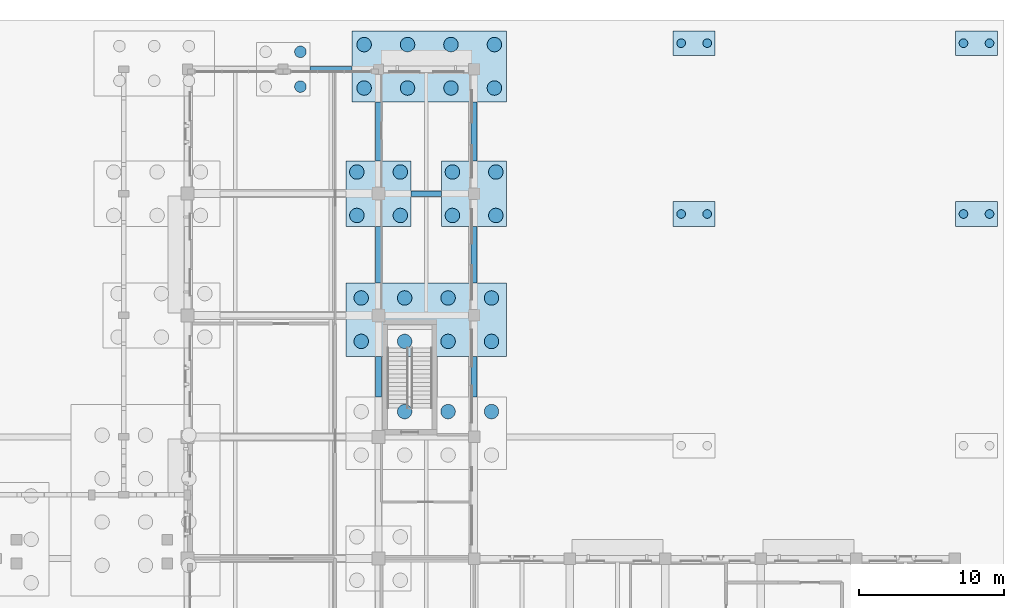
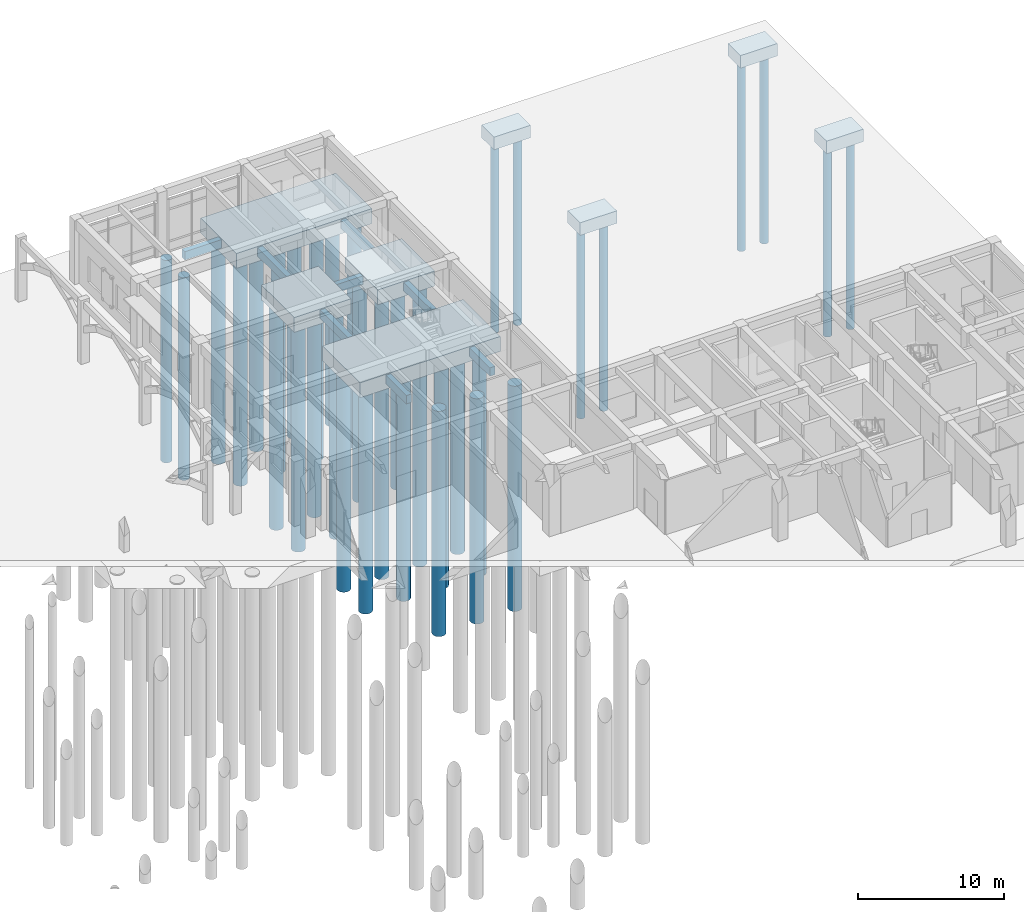
# One storey, part 9 of 82: 37 piles, 16 footings.
"""IFC4 building model written with IfcOpenShell, lengths in metres."""

from ifc_helpers import new_model, si_unit, direction, frame, origin, origin_2d, place, context, subcontext, project, spatial, rectangle, circle, extrude, material, material_profile, profile_set, type_object, element, save


model = new_model("IFC4")

# Units and contexts
model_context = context("Model", 3, precision=1e-05, world=origin(), true_north=direction((0.0, 1.0)))
body_context = subcontext(model_context, "Body", "Model", "MODEL_VIEW")
ifc_project = project(units=[si_unit("LENGTHUNIT", "METRE"), si_unit("AREAUNIT", "SQUARE_METRE"), si_unit("VOLUMEUNIT", "CUBIC_METRE"), si_unit("PLANEANGLEUNIT", "RADIAN"), si_unit("MASSUNIT", "GRAM", prefix="KILO")], contexts=[model_context])

# Site, building, storey
site_placement = place(None, origin())
site = spatial("IfcSite", under=ifc_project, at=site_placement, CompositionType="ELEMENT")
building_placement = place(site_placement, origin())
building = spatial("IfcBuilding", under=site, at=building_placement, Name="Kolvaren Faculty of Natural Sciences", CompositionType="ELEMENT")
storey_placement = place(building_placement, origin())
storey = spatial("IfcBuildingStorey", under=building, at=storey_placement, Name="L00", CompositionType="ELEMENT", Elevation=0.0)

# Piles
ifc_material = material(Name="Concrete C35/45", Category="concrete")
ifc_material_profile_1 = material_profile(ifc_material, circle(Radius=0.5, at=origin_2d()), Name="PILE D1000")
ifc_profile_set_1 = profile_set([ifc_material_profile_1], Name="Concrete C35/45")
pile_type_1 = type_object("IfcPileType", Name="BoredPile_1000", PredefinedType="BORED", material=ifc_profile_set_1)
for number, where, z_axis, x_axis, name in (
    (1, (134.0, 94.35009765625, -1.469970703125), (0.0, 0.0, -1.0), (1.0, 0.0, 0.0), "Rock-socketed bored pile BP-1000 under CAP-220"),
    (2, (137.0, 94.35009765625, -1.469970703125), (0.0, 0.0, -1.0), (1.0, 0.0, 0.0), "Rock-socketed bored pile BP-1000 under CAP-220"),
    (3, (140.0, 94.35009765625, -1.469970703125), (0.0, 0.0, -1.0), (1.0, 0.0, 0.0), "Rock-socketed bored pile BP-1000 under CAP-220"),
    (4, (131.0, 99.199951171875, -1.469970703125), (0.0, 0.0, -1.0), (1.0, 0.0, 0.0), "Rock-socketed bored pile BP-1000 under CAP-221"),
    (5, (131.0, 102.199951171875, -1.469970703125), (0.0, 0.0, -1.0), (1.0, 0.0, 0.0), "Rock-socketed bored pile BP-1000 under CAP-221"),
    (6, (134.0, 99.199951171875, -1.469970703125), (0.0, 0.0, -1.0), (1.0, 0.0, 0.0), "Rock-socketed bored pile BP-1000 under CAP-221"),
    (7, (134.0, 102.199951171875, -1.469970703125), (0.0, 0.0, -1.0), (1.0, 0.0, 0.0), "Rock-socketed bored pile BP-1000 under CAP-221"),
    (8, (137.0, 99.199951171875, -1.469970703125), (0.0, 0.0, -1.0), (1.0, 0.0, 0.0), "Rock-socketed bored pile BP-1000 under CAP-221"),
    (9, (137.0, 102.199951171875, -1.469970703125), (0.0, 0.0, -1.0), (1.0, 0.0, 0.0), "Rock-socketed bored pile BP-1000 under CAP-221"),
    (10, (140.0, 99.199951171875, -1.469970703125), (0.0, 0.0, -1.0), (1.0, 0.0, 0.0), "Rock-socketed bored pile BP-1000 under CAP-221"),
    (11, (140.0, 102.199951171875, -1.469970703125), (0.0, 0.0, -1.0), (1.0, 0.0, 0.0), "Rock-socketed bored pile BP-1000 under CAP-221"),
    (12, (130.699951171875, 107.89990234375, -1.469970703125), (0.0, 0.0, -1.0), (1.0, 0.0, 0.0), "Rock-socketed bored pile BP-1000 under CAP-222"),
    (13, (130.699951171875, 110.89990234375, -1.469970703125), (0.0, 0.0, -1.0), (1.0, 0.0, 0.0), "Rock-socketed bored pile BP-1000 under CAP-222"),
    (14, (133.699951171875, 107.89990234375, -1.469970703125), (0.0, 0.0, -1.0), (1.0, 0.0, 0.0), "Rock-socketed bored pile BP-1000 under CAP-222"),
    (15, (133.699951171875, 110.89990234375, -1.469970703125), (0.0, 0.0, -1.0), (1.0, 0.0, 0.0), "Rock-socketed bored pile BP-1000 under CAP-222"),
    (16, (131.199951171875, 116.699951171875, -1.469970703125), (0.0, 0.0, -1.0), (1.0, 0.0, 0.0), "Rock-socketed bored pile BP-1000 under CAP-226"),
    (17, (131.199951171875, 119.699951171875, -1.469970703125), (0.0, 0.0, -1.0), (1.0, 0.0, 0.0), "Rock-socketed bored pile BP-1000 under CAP-226"),
    (18, (134.199951171875, 116.699951171875, -1.469970703125), (0.0, 0.0, -1.0), (1.0, 0.0, 0.0), "Rock-socketed bored pile BP-1000 under CAP-226"),
    (19, (134.199951171875, 119.699951171875, -1.469970703125), (0.0, 0.0, -1.0), (1.0, 0.0, 0.0), "Rock-socketed bored pile BP-1000 under CAP-226"),
    (20, (137.199951171875, 116.699951171875, -1.469970703125), (0.0, 0.0, -1.0), (1.0, 0.0, 0.0), "Rock-socketed bored pile BP-1000 under CAP-226"),
    (21, (137.199951171875, 119.699951171875, -1.469970703125), (0.0, 0.0, -1.0), (1.0, 0.0, 0.0), "Rock-socketed bored pile BP-1000 under CAP-226"),
    (22, (140.199951171875, 116.699951171875, -1.469970703125), (0.0, 0.0, -1.0), (1.0, 0.0, 0.0), "Rock-socketed bored pile BP-1000 under CAP-226"),
    (23, (140.199951171875, 119.699951171875, -1.469970703125), (0.0, 0.0, -1.0), (1.0, 0.0, 0.0), "Rock-socketed bored pile BP-1000 under CAP-226"),
    (24, (137.300048828125, 107.89990234375, -1.469970703125), (0.0, 0.0, -1.0), (1.0, 0.0, 0.0), "Rock-socketed bored pile BP-1000 under CAP-227"),
    (25, (137.300048828125, 110.89990234375, -1.469970703125), (0.0, 0.0, -1.0), (1.0, 0.0, 0.0), "Rock-socketed bored pile BP-1000 under CAP-227"),
    (26, (140.300048828125, 107.89990234375, -1.469970703125), (0.0, 0.0, -1.0), (1.0, 0.0, 0.0), "Rock-socketed bored pile BP-1000 under CAP-227"),
    (27, (140.300048828125, 110.89990234375, -1.469970703125), (0.0, 0.0, -1.0), (1.0, 0.0, 0.0), "Rock-socketed bored pile BP-1000 under CAP-227"),
):
    element("IfcPile", number, at=place(storey_placement, frame(where, z_axis=z_axis, x_axis=x_axis)), inside=storey, type_object=pile_type_1, Name=name, PredefinedType="BORED", context=body_context, shape_type="SweptSolid", body=[
        extrude(circle(Radius=0.5, at=origin_2d()), origin(), (0.0, 0.0, 1.0), 18.830078125),
    ])
ifc_material_profile_2 = material_profile(ifc_material, circle(Radius=0.300048828125, at=origin_2d()), Name="PILE D600")
ifc_profile_set_2 = profile_set([ifc_material_profile_2], Name="Concrete C35/45")
pile_type_2 = type_object("IfcPileType", Name="BoredPile_600", PredefinedType="BORED", material=ifc_profile_set_2)
for number, where, z_axis, x_axis, name in (
    (28, (153.10009765625, 108.0, -1.27001953125), (0.0, 0.0, -1.0), (1.0, 0.0, 0.0), "Rock-socketed bored pile BP-600 under CAP-236"),
    (29, (154.89990234375, 108.0, -1.27001953125), (0.0, 0.0, -1.0), (1.0, 0.0, 0.0), "Rock-socketed bored pile BP-600 under CAP-236"),
    (30, (153.10009765625, 119.800048828125, -1.27001953125), (0.0, 0.0, -1.0), (1.0, 0.0, 0.0), "Rock-socketed bored pile BP-600 under CAP-237"),
    (31, (154.89990234375, 119.800048828125, -1.27001953125), (0.0, 0.0, -1.0), (1.0, 0.0, 0.0), "Rock-socketed bored pile BP-600 under CAP-237"),
    (32, (172.60009765625, 108.0, -1.27001953125), (0.0, 0.0, -1.0), (1.0, 0.0, 0.0), "Rock-socketed bored pile BP-600 under CAP-250"),
    (33, (174.39990234375, 108.0, -1.27001953125), (0.0, 0.0, -1.0), (1.0, 0.0, 0.0), "Rock-socketed bored pile BP-600 under CAP-250"),
    (34, (172.60009765625, 119.800048828125, -1.27001953125), (0.0, 0.0, -1.0), (1.0, 0.0, 0.0), "Rock-socketed bored pile BP-600 under CAP-251"),
    (35, (174.39990234375, 119.800048828125, -1.27001953125), (0.0, 0.0, -1.0), (1.0, 0.0, 0.0), "Rock-socketed bored pile BP-600 under CAP-251"),
):
    element("IfcPile", number, at=place(storey_placement, frame(where, z_axis=z_axis, x_axis=x_axis)), inside=storey, type_object=pile_type_2, Name=name, PredefinedType="BORED", context=body_context, shape_type="SweptSolid", body=[
        extrude(circle(Radius=0.300048828125, at=origin_2d()), origin(), (0.0, 0.0, 1.0), 15.929931640625),
    ])
ifc_material_profile_3 = material_profile(ifc_material, circle(Radius=0.39990234375, at=origin_2d()), Name="PILE D800")
ifc_profile_set_3 = profile_set([ifc_material_profile_3], Name="Concrete C35/45")
pile_type_3 = type_object("IfcPileType", Name="BoredPile_800", PredefinedType="BORED", material=ifc_profile_set_3)
for number, where, z_axis, x_axis, name in (
    (36, (126.800048828125, 116.800048828125, -1.469970703125), (0.0, 0.0, -1.0), (1.0, 0.0, 0.0), "Rock-socketed bored pile BP-800 under CAP-216"),
    (37, (126.800048828125, 119.199951171875, -1.469970703125), (0.0, 0.0, -1.0), (1.0, 0.0, 0.0), "Rock-socketed bored pile BP-800 under CAP-216"),
):
    element("IfcPile", number, at=place(storey_placement, frame(where, z_axis=z_axis, x_axis=x_axis)), inside=storey, type_object=pile_type_3, Name=name, PredefinedType="BORED", context=body_context, shape_type="SweptSolid", body=[
        extrude(circle(Radius=0.39990234375, at=origin_2d()), origin(), (0.0, 0.0, 1.0), 16.929931640625),
    ])

# Footings
ifc_material_profile_4 = material_profile(ifc_material, rectangle(XDim=0.39990234375, YDim=0.699951171875, at=origin_2d()), Name="RC FB 400x700")
ifc_profile_set_4 = profile_set([ifc_material_profile_4], Name="Concrete C35/45")
footing_type_1 = type_object("IfcFootingType", Name="FootingTieBeam_400x700", PredefinedType="FOOTING_BEAM", material=ifc_profile_set_4)
footing_1_placement = place(storey_placement, frame((134.449951171875, 109.39990234375, -0.75), z_axis=(1.0, 0.0, 0.0), x_axis=(0.0, 1.0, 0.0)))
element("IfcFooting", 38, at=footing_1_placement, inside=storey, type_object=footing_type_1, Name="L00 orthogonal foundation tie beam FB-01", PredefinedType="FOOTING_BEAM", context=body_context, shape_type="SweptSolid", body=[
    extrude(rectangle(XDim=0.39990234375, YDim=0.699951171875, at=origin_2d()), origin(), (0.0, 0.0, 1.0), 2.10009765625),
])
footing_2_placement = place(storey_placement, frame((127.449951171875, 118.0, -0.75), z_axis=(1.0, 0.0, 0.0), x_axis=(0.0, 1.0, 0.0)))
element("IfcFooting", 39, at=footing_2_placement, inside=storey, type_object=footing_type_1, Name="L00 orthogonal foundation tie beam FB-01", PredefinedType="FOOTING_BEAM", context=body_context, shape_type="SweptSolid", body=[
    extrude(rectangle(XDim=0.39990234375, YDim=0.699951171875, at=origin_2d()), origin(), (0.0, 0.0, 1.0), 2.900146484375),
])
footing_3_placement = place(storey_placement, frame((132.199951171875, 95.35009765625, -0.75), z_axis=(0.0, 1.0, 0.0), x_axis=(-1.0, 0.0, 0.0)))
element("IfcFooting", 40, at=footing_3_placement, inside=storey, type_object=footing_type_1, Name="L00 orthogonal foundation tie beam FB-01", PredefinedType="FOOTING_BEAM", context=body_context, shape_type="SweptSolid", body=[
    extrude(rectangle(XDim=0.39990234375, YDim=0.699951171875, at=origin_2d()), origin(), (0.0, 0.0, 1.0), 2.7998046875),
])
footing_4_placement = place(storey_placement, frame((132.199951171875, 103.25, -0.75), z_axis=(0.0, 1.0, 0.0), x_axis=(-1.0, 0.0, 0.0)))
element("IfcFooting", 41, at=footing_4_placement, inside=storey, type_object=footing_type_1, Name="L00 orthogonal foundation tie beam FB-01", PredefinedType="FOOTING_BEAM", context=body_context, shape_type="SweptSolid", body=[
    extrude(rectangle(XDim=0.39990234375, YDim=0.699951171875, at=origin_2d()), origin(), (0.0, 0.0, 1.0), 3.89990234375),
])
footing_5_placement = place(storey_placement, frame((132.199951171875, 111.64990234375, -0.75), z_axis=(0.0, 1.0, 0.0), x_axis=(-1.0, 0.0, 0.0)))
element("IfcFooting", 42, at=footing_5_placement, inside=storey, type_object=footing_type_1, Name="L00 orthogonal foundation tie beam FB-01", PredefinedType="FOOTING_BEAM", context=body_context, shape_type="SweptSolid", body=[
    extrude(rectangle(XDim=0.39990234375, YDim=0.699951171875, at=origin_2d()), origin(), (0.0, 0.0, 1.0), 4.10009765625),
])
footing_6_placement = place(storey_placement, frame((138.800048828125, 95.35009765625, -0.75), z_axis=(0.0, 1.0, 0.0), x_axis=(-1.0, 0.0, 0.0)))
element("IfcFooting", 43, at=footing_6_placement, inside=storey, type_object=footing_type_1, Name="L00 orthogonal foundation tie beam FB-01", PredefinedType="FOOTING_BEAM", context=body_context, shape_type="SweptSolid", body=[
    extrude(rectangle(XDim=0.39990234375, YDim=0.699951171875, at=origin_2d()), origin(), (0.0, 0.0, 1.0), 2.7998046875),
])
footing_7_placement = place(storey_placement, frame((138.800048828125, 103.25, -0.75), z_axis=(0.0, 1.0, 0.0), x_axis=(-1.0, 0.0, 0.0)))
element("IfcFooting", 44, at=footing_7_placement, inside=storey, type_object=footing_type_1, Name="L00 orthogonal foundation tie beam FB-01", PredefinedType="FOOTING_BEAM", context=body_context, shape_type="SweptSolid", body=[
    extrude(rectangle(XDim=0.39990234375, YDim=0.699951171875, at=origin_2d()), origin(), (0.0, 0.0, 1.0), 3.89990234375),
])
footing_8_placement = place(storey_placement, frame((138.800048828125, 111.64990234375, -0.75), z_axis=(0.0, 1.0, 0.0), x_axis=(-1.0, 0.0, 0.0)))
element("IfcFooting", 45, at=footing_8_placement, inside=storey, type_object=footing_type_1, Name="L00 orthogonal foundation tie beam FB-01", PredefinedType="FOOTING_BEAM", context=body_context, shape_type="SweptSolid", body=[
    extrude(rectangle(XDim=0.39990234375, YDim=0.699951171875, at=origin_2d()), origin(), (0.0, 0.0, 1.0), 4.10009765625),
])
footing_type_2 = type_object("IfcFootingType", Name="PileCap_10700x4900x1250", PredefinedType="PILE_CAP", material=ifc_material)
footing_9_placement = place(storey_placement, frame((135.699951171875, 118.199951171875, -1.570068359375), z_axis=(0.0, 0.0, 1.0), x_axis=(1.0, 0.0, 0.0)))
element("IfcFooting", 46, at=footing_9_placement, inside=storey, type_object=footing_type_2, Name="L00 reinforced concrete pile cap PC-50 (CAP-226)", PredefinedType="PILE_CAP", context=body_context, shape_type="SweptSolid", body=[
    extrude(rectangle(XDim=10.699951171875, YDim=4.89990234375, at=origin_2d()), origin(), (0.0, 0.0, 1.0), 1.25),
])
footing_type_3 = type_object("IfcFootingType", Name="PileCap_11100x5100x1250", PredefinedType="PILE_CAP", material=ifc_material)
footing_10_placement = place(storey_placement, frame((135.5, 100.699951171875, -1.570068359375), z_axis=(0.0, 0.0, 1.0), x_axis=(1.0, 0.0, 0.0)))
element("IfcFooting", 47, at=footing_10_placement, inside=storey, type_object=footing_type_3, Name="L00 reinforced concrete pile cap PC-49 (CAP-221)", PredefinedType="PILE_CAP", context=body_context, shape_type="SweptSolid", body=[
    extrude(rectangle(XDim=11.10009765625, YDim=5.10009765625, at=origin_2d()), origin(), (0.0, 0.0, 1.0), 1.25),
])
footing_type_4 = type_object("IfcFootingType", Name="PileCap_2900x1700x1050", PredefinedType="PILE_CAP", material=ifc_material)
for number, where, z_axis, x_axis, name in (
    (48, (154.0, 108.0, -1.3701171875), (0.0, 0.0, 1.0), (1.0, 0.0, 0.0), "L00 reinforced concrete pile cap PC-19 (CAP-236)"),
    (49, (154.0, 119.800048828125, -1.3701171875), (0.0, 0.0, 1.0), (1.0, 0.0, 0.0), "L00 reinforced concrete pile cap PC-19 (CAP-237)"),
    (50, (173.5, 108.0, -1.3701171875), (0.0, 0.0, 1.0), (1.0, 0.0, 0.0), "L00 reinforced concrete pile cap PC-19 (CAP-250)"),
    (51, (173.5, 119.800048828125, -1.3701171875), (0.0, 0.0, 1.0), (1.0, 0.0, 0.0), "L00 reinforced concrete pile cap PC-19 (CAP-251)"),
):
    element("IfcFooting", number, at=place(storey_placement, frame(where, z_axis=z_axis, x_axis=x_axis)), inside=storey, type_object=footing_type_4, Name=name, PredefinedType="PILE_CAP", context=body_context, shape_type="SweptSolid", body=[
        extrude(rectangle(XDim=2.89990234375, YDim=1.699951171875, at=origin_2d()), origin(), (0.0, 0.0, 1.0), 1.050048828125),
    ])
footing_type_5 = type_object("IfcFootingType", Name="PileCap_4500x4500x1250", PredefinedType="PILE_CAP", material=ifc_material)
for number, where, z_axis, x_axis, name in (
    (52, (132.199951171875, 109.39990234375, -1.570068359375), (0.0, 0.0, 1.0), (1.0, 0.0, 0.0), "L00 reinforced concrete pile cap PC-23 (CAP-222)"),
    (53, (138.800048828125, 109.39990234375, -1.570068359375), (0.0, 0.0, 1.0), (1.0, 0.0, 0.0), "L00 reinforced concrete pile cap PC-23 (CAP-227)"),
):
    element("IfcFooting", number, at=place(storey_placement, frame(where, z_axis=z_axis, x_axis=x_axis)), inside=storey, type_object=footing_type_5, Name=name, PredefinedType="PILE_CAP", context=body_context, shape_type="SweptSolid", body=[
        extrude(rectangle(XDim=4.5, YDim=4.5, at=origin_2d()), origin(), (0.0, 0.0, 1.0), 1.25),
    ])

save(model, "model.ifc")
